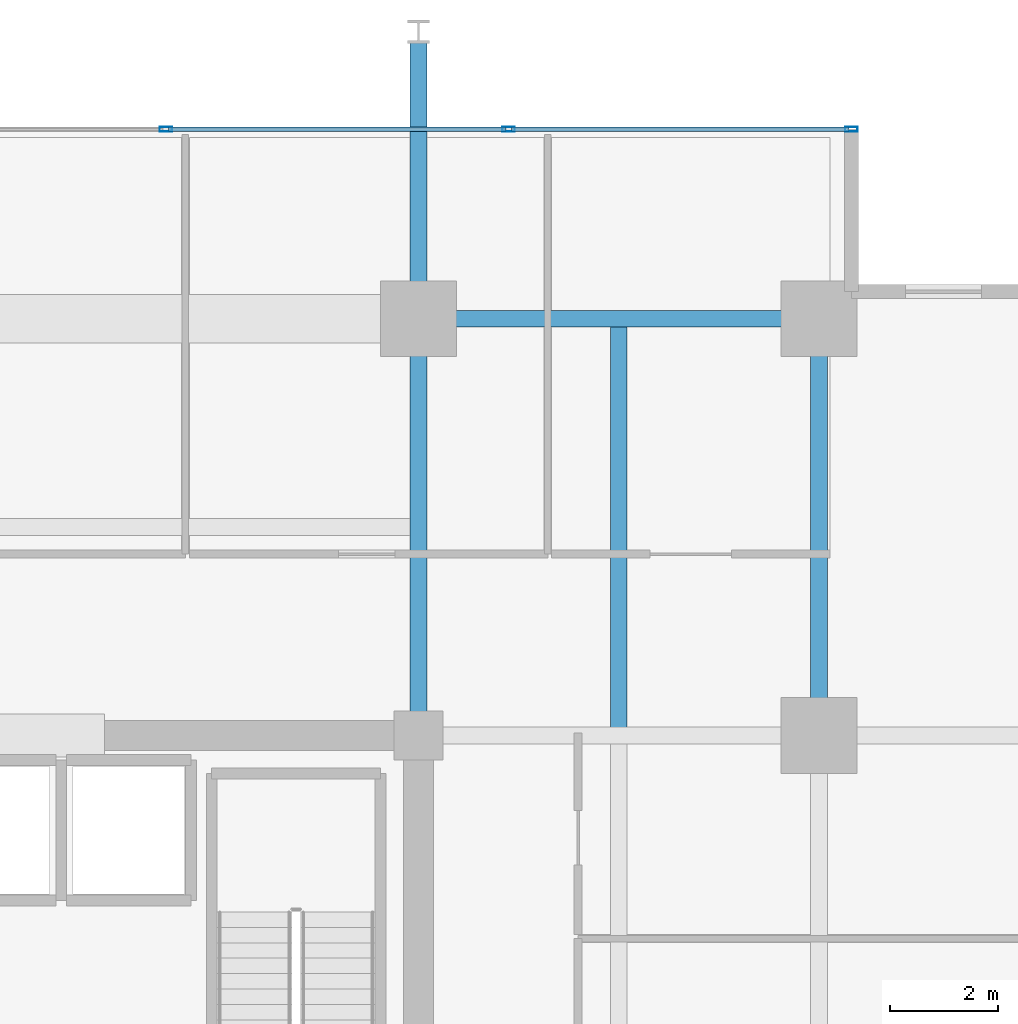
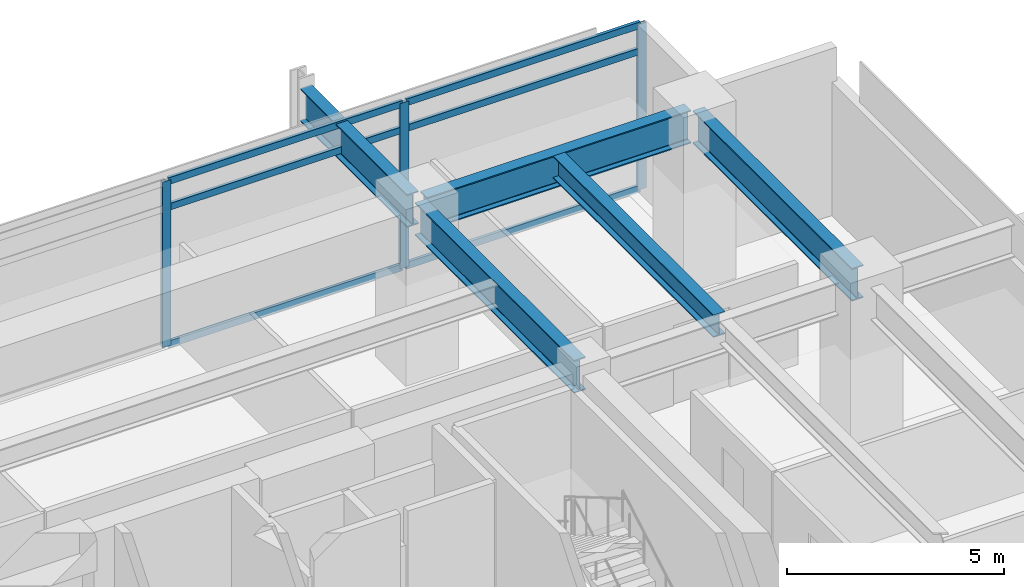
# One storey, part 10 of 19: 9 members, 5 beams, 1 element without a shape of its own.
"""IFC4 building model written with IfcOpenShell, lengths in metres."""

from ifc_helpers import new_model, si_unit, direction, frame, origin, origin_2d, place, context, subcontext, project, spatial, hollow_rectangle, i_section, extrude, material, material_profile, profile_set, type_object, element, aggregate, save


model = new_model("IFC4")

# Units and contexts
model_context = context("Model", 3, precision=1e-05, world=origin(), true_north=direction((0.0, 1.0)))
body_context = subcontext(model_context, "Body", "Model", "MODEL_VIEW")
ifc_project = project(units=[si_unit("LENGTHUNIT", "METRE"), si_unit("AREAUNIT", "SQUARE_METRE"), si_unit("VOLUMEUNIT", "CUBIC_METRE"), si_unit("PLANEANGLEUNIT", "RADIAN"), si_unit("MASSUNIT", "GRAM", prefix="KILO")], contexts=[model_context])

# Site, building, storey
site_placement = place(None, origin())
site = spatial("IfcSite", under=ifc_project, at=site_placement, CompositionType="ELEMENT")
building_placement = place(site_placement, origin())
building = spatial("IfcBuilding", under=site, at=building_placement, Name="Kovane Verandah Tower", CompositionType="ELEMENT")
storey_placement = place(building_placement, frame((0.0, 0.0, 184.39990234375)))
storey = spatial("IfcBuildingStorey", under=building, at=storey_placement, Name="L43", CompositionType="ELEMENT", Elevation=184.39990234375)

# Beams
ifc_material_1 = material(Name="Steel S460", Category="steel")
ifc_material_profile_1 = material_profile(ifc_material_1, i_section(OverallWidth=0.311279296875, OverallDepth=0.6357421875, WebThickness=0.018310546875, FlangeThickness=0.031494140625, FilletRadius=0.0166015625, at=origin_2d()), Name="UB610x305x238")
ifc_profile_set_1 = profile_set([ifc_material_profile_1], Name="Steel S460")
beam_type_1 = type_object("IfcBeamType", Name="BM-UB610x238", PredefinedType="BEAM", material=ifc_profile_set_1)
beam_1_placement = place(storey_placement, frame((54.699951171875, 36.65185546875, 4.382080078125), z_axis=(0.0, 1.0, 0.0), x_axis=(-1.0, 0.0, 0.0)))
element("IfcBeam", 1, at=beam_1_placement, inside=storey, type_object=beam_type_1, Name="L43 Secondary Composite Joist J-NE1", PredefinedType="BEAM", context=body_context, shape_type="SweptSolid", body=[
    extrude(i_section(OverallWidth=0.311279296875, OverallDepth=0.6357421875, WebThickness=0.018310546875, FlangeThickness=0.031494140625, FilletRadius=0.0166015625, at=origin_2d()), origin(), (0.0, 0.0, 1.0), 7.396240234375),
])
ifc_material_profile_2 = material_profile(ifc_material_1, i_section(OverallWidth=0.3076171875, OverallDepth=0.926513671875, WebThickness=0.01953125, FlangeThickness=0.031982421875, FilletRadius=0.01904296875, at=origin_2d()), Name="UB914x305x289")
ifc_profile_set_2 = profile_set([ifc_material_profile_2], Name="Steel S460")
beam_type_2 = type_object("IfcBeamType", Name="BM-UB914x289", PredefinedType="BEAM", material=ifc_profile_set_2)
beam_2_placement = place(storey_placement, frame((51.179931640625, 44.199951171875, 4.23681640625), z_axis=(1.0, 0.0, 0.0), x_axis=(0.0, 1.0, 0.0)))
element("IfcBeam", 2, at=beam_2_placement, inside=storey, type_object=beam_type_2, Name="L43 Primary Tower Girder G-RN3", PredefinedType="BEAM", context=body_context, shape_type="SweptSolid", body=[
    extrude(i_section(OverallWidth=0.3076171875, OverallDepth=0.926513671875, WebThickness=0.01953125, FlangeThickness=0.031982421875, FilletRadius=0.01904296875, at=origin_2d()), origin(), (0.0, 0.0, 1.0), 7.0400390625),
])
for number, where, z_axis, x_axis, name in (
    (3, (58.39990234375, 36.679931640625, 4.23681640625), (0.0, 1.0, 0.0), (-1.0, 0.0, 0.0), "L43 Primary Tower Girder G-RE3"),
    (4, (51.0, 36.679931640625, 4.23681640625), (0.0, 1.0, 0.0), (-1.0, 0.0, 0.0), "L43 Primary Tower Girder G-N2"),
):
    element("IfcBeam", number, at=place(storey_placement, frame(where, z_axis=z_axis, x_axis=x_axis)), inside=storey, type_object=beam_type_2, Name=name, PredefinedType="BEAM", context=body_context, shape_type="SweptSolid", body=[
        extrude(i_section(OverallWidth=0.3076171875, OverallDepth=0.926513671875, WebThickness=0.01953125, FlangeThickness=0.031982421875, FilletRadius=0.01904296875, at=origin_2d()), origin(), (0.0, 0.0, 1.0), 7.340087890625),
    ])
beam_3_placement = place(storey_placement, frame((51.0, 44.3798828125, 4.23681640625), z_axis=(0.0, 1.0, 0.0), x_axis=(-1.0, 0.0, 0.0)))
element("IfcBeam", 5, at=beam_3_placement, inside=storey, type_object=beam_type_2, Name="L43 Primary Tower Girder G-VN2", PredefinedType="BEAM", context=body_context, shape_type="SweptSolid", body=[
    extrude(i_section(OverallWidth=0.3076171875, OverallDepth=0.926513671875, WebThickness=0.01953125, FlangeThickness=0.031982421875, FilletRadius=0.01904296875, at=origin_2d()), origin(), (0.0, 0.0, 1.0), 4.940185546875),
])

# Curtain wall, members
ifc_material_2 = material(Name="Champagne Anodised Aluminium Frame with Low-E Clear Laminated Glass", Category="aluminium")
curtain_wall_type = type_object("IfcCurtainWallType", Name="CW-SYS-04-WAIST", PredefinedType="NOTDEFINED", material=ifc_material_2)
curtain_wall_placement = place(storey_placement, origin())
curtain_wall = element("IfcCurtainWall", 6, at=curtain_wall_placement, inside=storey, type_object=curtain_wall_type, Name="L43 N Unitised Curtain Wall", PredefinedType="NOTDEFINED")
ifc_material_3 = material(Name="Champagne Anodised Aluminium 6063-T6", Category="aluminium")
ifc_material_profile_3 = material_profile(ifc_material_3, hollow_rectangle(XDim=0.0849609375, YDim=0.22998046875, WallThickness=0.00390625, at=origin_2d()), Name="AL85x230x4")
ifc_profile_set_3 = profile_set([ifc_material_profile_3], Name="Champagne Anodised Aluminium 6063-T6")
member_type_1 = type_object("IfcMemberType", Name="CW-MUL-85x230", PredefinedType="MULLION", material=ifc_profile_set_3)
member_1_placement = place(storey_placement, frame((59.0, 47.699951171875, 0.02001953125), z_axis=(0.0, 0.0, 1.0), x_axis=(0.0, 1.0, 0.0)))
member_1 = element("IfcMember", 7, at=member_1_placement, type_object=member_type_1, Name="L43 N Unitised Curtain Wall Mullion 1", PredefinedType="MULLION", context=body_context, shape_type="SweptSolid", body=[
    extrude(hollow_rectangle(XDim=0.0849609375, YDim=0.22998046875, WallThickness=0.00390625, at=origin_2d()), origin(), (0.0, 0.0, 1.0), 4.66015625),
])
member_2_placement = place(storey_placement, frame((52.666748046875, 47.699951171875, 0.02001953125), z_axis=(0.0, 0.0, 1.0), x_axis=(0.0, 1.0, 0.0)))
member_2 = element("IfcMember", 8, at=member_2_placement, type_object=member_type_1, Name="L43 N Unitised Curtain Wall Mullion 2", PredefinedType="MULLION", context=body_context, shape_type="SweptSolid", body=[
    extrude(hollow_rectangle(XDim=0.0849609375, YDim=0.22998046875, WallThickness=0.00390625, at=origin_2d()), origin(), (0.0, 0.0, 1.0), 4.66015625),
])
member_3_placement = place(storey_placement, frame((46.333251953125, 47.699951171875, 0.02001953125), z_axis=(0.0, 0.0, 1.0), x_axis=(0.0, 1.0, 0.0)))
member_3 = element("IfcMember", 9, at=member_3_placement, type_object=member_type_1, Name="L43 N Unitised Curtain Wall Mullion 3", PredefinedType="MULLION", context=body_context, shape_type="SweptSolid", body=[
    extrude(hollow_rectangle(XDim=0.0849609375, YDim=0.22998046875, WallThickness=0.00390625, at=origin_2d()), origin(), (0.0, 0.0, 1.0), 4.66015625),
])
ifc_material_profile_4 = material_profile(ifc_material_3, hollow_rectangle(XDim=0.0849609375, YDim=0.18994140625, WallThickness=0.00390625, at=origin_2d()), Name="AL85x190x4")
ifc_profile_set_4 = profile_set([ifc_material_profile_4], Name="Champagne Anodised Aluminium 6063-T6")
member_type_2 = type_object("IfcMemberType", Name="CW-TRN-85x190", PredefinedType="USERDEFINED", material=ifc_profile_set_4)
member_4_placement = place(storey_placement, frame((58.949951171875, 47.699951171875, 0.050048828125), z_axis=(-1.0, 0.0, 0.0), x_axis=(0.0, -1.0, 0.0)))
member_4 = element("IfcMember", 10, at=member_4_placement, type_object=member_type_2, Name="L43 N Unitised Curtain Wall Transom TB Bay 1", ObjectType="TRANSOM", PredefinedType="USERDEFINED", context=body_context, shape_type="SweptSolid", body=[
    extrude(hollow_rectangle(XDim=0.0849609375, YDim=0.18994140625, WallThickness=0.00390625, at=origin_2d()), origin(), (0.0, 0.0, 1.0), 6.233154296875),
])
member_5_placement = place(storey_placement, frame((58.949951171875, 47.699951171875, 3.920166015625), z_axis=(-1.0, 0.0, 0.0), x_axis=(0.0, -1.0, 0.0)))
member_5 = element("IfcMember", 11, at=member_5_placement, type_object=member_type_2, Name="L43 N Unitised Curtain Wall Transom TM Bay 1", ObjectType="TRANSOM", PredefinedType="USERDEFINED", context=body_context, shape_type="SweptSolid", body=[
    extrude(hollow_rectangle(XDim=0.0849609375, YDim=0.18994140625, WallThickness=0.00390625, at=origin_2d()), origin(), (0.0, 0.0, 1.0), 6.233154296875),
])
member_6_placement = place(storey_placement, frame((58.949951171875, 47.699951171875, 4.650146484375), z_axis=(-1.0, 0.0, 0.0), x_axis=(0.0, -1.0, 0.0)))
member_6 = element("IfcMember", 12, at=member_6_placement, type_object=member_type_2, Name="L43 N Unitised Curtain Wall Transom TT Bay 1", ObjectType="TRANSOM", PredefinedType="USERDEFINED", context=body_context, shape_type="SweptSolid", body=[
    extrude(hollow_rectangle(XDim=0.0849609375, YDim=0.18994140625, WallThickness=0.00390625, at=origin_2d()), origin(), (0.0, 0.0, 1.0), 6.233154296875),
])
member_7_placement = place(storey_placement, frame((52.61669921875, 47.699951171875, 0.050048828125), z_axis=(-1.0, 0.0, 0.0), x_axis=(0.0, -1.0, 0.0)))
member_7 = element("IfcMember", 13, at=member_7_placement, type_object=member_type_2, Name="L43 N Unitised Curtain Wall Transom TB Bay 2", ObjectType="TRANSOM", PredefinedType="USERDEFINED", context=body_context, shape_type="SweptSolid", body=[
    extrude(hollow_rectangle(XDim=0.0849609375, YDim=0.18994140625, WallThickness=0.00390625, at=origin_2d()), origin(), (0.0, 0.0, 1.0), 6.2333984375),
])
member_8_placement = place(storey_placement, frame((52.61669921875, 47.699951171875, 3.920166015625), z_axis=(-1.0, 0.0, 0.0), x_axis=(0.0, -1.0, 0.0)))
member_8 = element("IfcMember", 14, at=member_8_placement, type_object=member_type_2, Name="L43 N Unitised Curtain Wall Transom TM Bay 2", ObjectType="TRANSOM", PredefinedType="USERDEFINED", context=body_context, shape_type="SweptSolid", body=[
    extrude(hollow_rectangle(XDim=0.0849609375, YDim=0.18994140625, WallThickness=0.00390625, at=origin_2d()), origin(), (0.0, 0.0, 1.0), 6.2333984375),
])
member_9_placement = place(storey_placement, frame((52.61669921875, 47.699951171875, 4.650146484375), z_axis=(-1.0, 0.0, 0.0), x_axis=(0.0, -1.0, 0.0)))
member_9 = element("IfcMember", 15, at=member_9_placement, type_object=member_type_2, Name="L43 N Unitised Curtain Wall Transom TT Bay 2", ObjectType="TRANSOM", PredefinedType="USERDEFINED", context=body_context, shape_type="SweptSolid", body=[
    extrude(hollow_rectangle(XDim=0.0849609375, YDim=0.18994140625, WallThickness=0.00390625, at=origin_2d()), origin(), (0.0, 0.0, 1.0), 6.2333984375),
])
aggregate(curtain_wall, [member_1, member_2, member_3, member_4, member_5, member_6, member_7, member_8, member_9])

save(model, "model.ifc")
